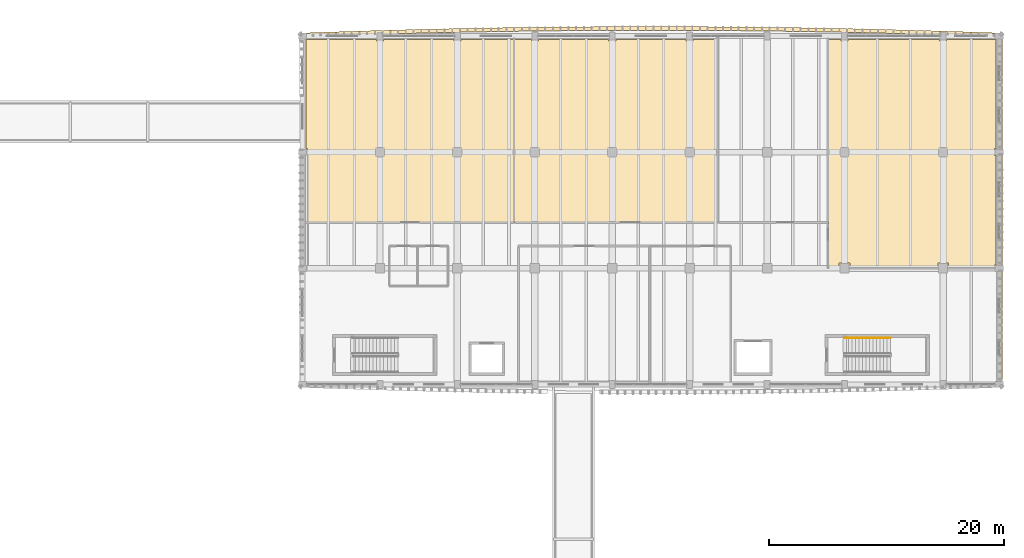
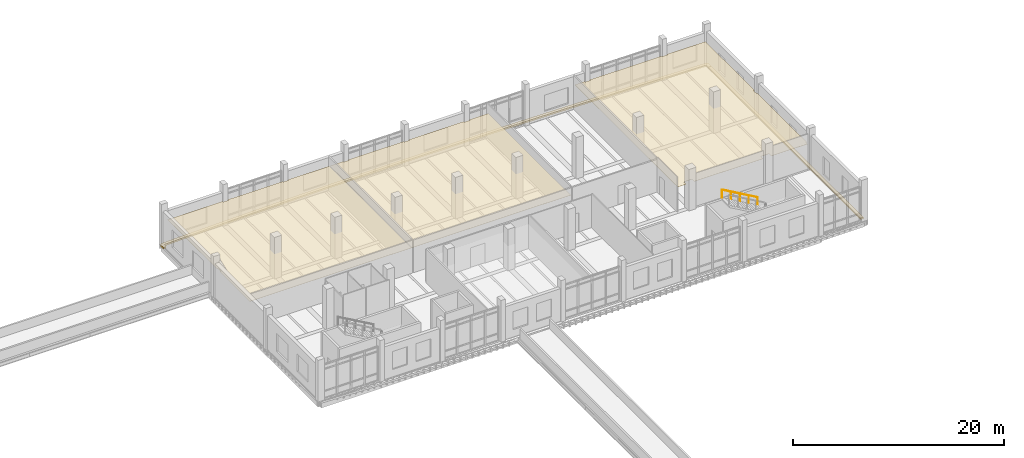
# One storey, part 94 of 101: 5 coverings, 1 railing.
"""IFC4 building model written with IfcOpenShell, lengths in metres."""

import ifcopenshell
import ifcopenshell.guid

model = None  # the IFC model being written
_history = None  # IfcOwnerHistory: only IFC2X3 demands one
_inside = {}  # id of a spatial element -> (the spatial element, [elements in it])
_under = {}  # id of a project, library or spatial element -> (it, [spatial elements below it])
_declared = {}  # id of a project -> (the project, [libraries it declares])
_typed = {}  # id of a type object -> (the type object, [elements of that type])
_made_of = {}  # id of a material, layer set ... -> (it, [elements and type objects made of it])


def new_model(schema):
    """Start an empty IFC model of exactly this schema.

    Asked for "IFC4X3", IfcOpenShell would pick the latest addendum, in which some entities
    have other attributes; the version numbers below select the first issue.
    IFC2X3 requires an IfcOwnerHistory on every rooted entity: one is made here for all.
    """
    global model, _history
    if schema == "IFC4X3":
        model = ifcopenshell.file(schema_version=(4, 3, 0, 0))
    else:
        model = ifcopenshell.file(schema=schema)
    _inside.clear()
    _under.clear()
    _declared.clear()
    _typed.clear()
    _made_of.clear()
    _history = None
    if model.schema == "IFC2X3":
        org = make("IfcOrganization", Name="unknown")
        user = make(
            "IfcPersonAndOrganization",
            ThePerson=make("IfcPerson", FamilyName="unknown"),
            TheOrganization=org,
        )
        app = make(
            "IfcApplication",
            ApplicationDeveloper=org,
            Version="unknown",
            ApplicationFullName="unknown",
            ApplicationIdentifier="unknown",
        )
        _history = make(
            "IfcOwnerHistory",
            OwningUser=user,
            OwningApplication=app,
            ChangeAction="ADDED",
            CreationDate=0,
        )
    return model


def make(cls, **values):
    """One entity of the class cls with the attributes given. An attribute that is None is left unset."""
    return model.create_entity(
        cls, **{name: value for name, value in values.items() if value is not None}
    )


def rooted(cls, **values):
    """An entity with a GlobalId (a new one), such as an element, a storey or a relation."""
    return make(cls, GlobalId=ifcopenshell.guid.new(), OwnerHistory=_history, **values)


def si_unit(unit_type, name, prefix=None):
    """IfcSIUnit, for example si_unit("LENGTHUNIT", "METRE", prefix="MILLI")."""
    return make("IfcSIUnit", UnitType=unit_type, Prefix=prefix, Name=name)


def assignment(units):
    """IfcUnitAssignment: the units of a project."""
    return None if units is None else make("IfcUnitAssignment", Units=units)


def point(xyz):
    """IfcCartesianPoint."""
    return None if xyz is None else make("IfcCartesianPoint", Coordinates=xyz)


def direction(xyz):
    """IfcDirection."""
    return None if xyz is None else make("IfcDirection", DirectionRatios=xyz)


def frame(location, z_axis=None, x_axis=None):
    """IfcAxis2Placement3D, a coordinate frame: its origin and axes. An axis left out is left unset."""
    return make(
        "IfcAxis2Placement3D",
        Location=point(location),
        Axis=direction(z_axis),
        RefDirection=direction(x_axis),
    )


def frame_2d(location, x_axis=None):
    """IfcAxis2Placement2D, a coordinate frame in the plane: its origin and x axis."""
    return make(
        "IfcAxis2Placement2D", Location=point(location), RefDirection=direction(x_axis)
    )


def origin():
    """The frame at (0, 0, 0) with its axes left unset."""
    return frame((0.0, 0.0, 0.0))


def origin_2d():
    """The frame at (0, 0) in the plane with its x axis left unset."""
    return frame_2d((0.0, 0.0))


def place(relative_to, where):
    """IfcLocalPlacement: puts the frame where relative to a parent placement (None: the world)."""
    return make(
        "IfcLocalPlacement", PlacementRelTo=relative_to, RelativePlacement=where
    )


def context(
    kind, dimensions, precision=None, world=None, true_north=None, identifier=None
):
    """IfcGeometricRepresentationContext, for example the 3D "Model" context."""
    return make(
        "IfcGeometricRepresentationContext",
        ContextIdentifier=identifier,
        ContextType=kind,
        CoordinateSpaceDimension=dimensions,
        Precision=precision,
        WorldCoordinateSystem=world,
        TrueNorth=true_north,
    )


def subcontext(parent, identifier, kind, view, scale=None):
    """IfcGeometricRepresentationSubContext, for example "Body" below "Model"."""
    return make(
        "IfcGeometricRepresentationSubContext",
        ContextIdentifier=identifier,
        ContextType=kind,
        ParentContext=parent,
        TargetScale=scale,
        TargetView=view,
    )


def project(units=None, contexts=None):
    """IfcProject with its units and contexts."""
    return rooted(
        "IfcProject",
        Name="project",
        RepresentationContexts=contexts,
        UnitsInContext=assignment(units),
    )


def spatial(cls, under=None, at=None, **own):
    """A site, building, storey or space (cls), placed at a placement, below another one or the project."""
    s = rooted(cls, ObjectPlacement=at, **own)
    if under is not None:
        _under.setdefault(under.id(), (under, []))[1].append(s)
    return s


def polyline(points):
    """IfcPolyline through the points."""
    return make("IfcPolyline", Points=[point(p) for p in points])


def profile(cls, at=None, kind="AREA", **sizes):
    """A parametric profile (cls). Its sizes go by their IFC names, for example OverallWidth=200.0."""
    return make(cls, ProfileType=kind, Position=at, **sizes)


def circle(**sizes):
    """IfcCircleProfileDef."""
    return profile("IfcCircleProfileDef", **sizes)


def outline(outer, holes=None, kind="AREA"):
    """IfcArbitraryClosedProfileDef: a profile drawn as a closed curve; with holes, ...WithVoids."""
    if holes is None:
        return make("IfcArbitraryClosedProfileDef", ProfileType=kind, OuterCurve=outer)
    return make(
        "IfcArbitraryProfileDefWithVoids",
        ProfileType=kind,
        OuterCurve=outer,
        InnerCurves=holes,
    )


def extrude(swept, where, along, depth):
    """IfcExtrudedAreaSolid: the profile swept, set in the frame where, extruded along a direction by depth."""
    return make(
        "IfcExtrudedAreaSolid",
        SweptArea=swept,
        Position=where,
        ExtrudedDirection=direction(along),
        Depth=depth,
    )


def shape(context_of_items, identifier, shape_type, items):
    """IfcShapeRepresentation: the items that make up one representation, for example the "Body"."""
    return make(
        "IfcShapeRepresentation",
        ContextOfItems=context_of_items,
        RepresentationIdentifier=identifier,
        RepresentationType=shape_type,
        Items=items,
    )


def material(Name=None, Category=None):
    """IfcMaterial."""
    return make("IfcMaterial", Name=Name, Category=Category)


def layer(
    of_material, thickness, ventilated=None, Name=None, Category=None, Priority=None
):
    """IfcMaterialLayer: one layer of a wall or slab, of a material (None: an air gap)."""
    return make(
        "IfcMaterialLayer",
        Material=of_material,
        LayerThickness=thickness,
        IsVentilated=ventilated,
        Name=Name,
        Category=Category,
        Priority=Priority,
    )


def layer_set(layers, Name=None):
    """IfcMaterialLayerSet."""
    return make("IfcMaterialLayerSet", MaterialLayers=layers, LayerSetName=Name)


def made_of(thing, what):
    """Note that an element or type object is made of a material, layer set ...; save() writes the relation."""
    if what is not None:
        _made_of.setdefault(what.id(), (what, []))[1].append(thing)
    return thing


def type_object(cls, material=None, **own):
    """A type object (cls), such as IfcWallType, which elements share."""
    return made_of(rooted(cls, **own), material)


def element(
    cls,
    number,
    at=None,
    inside=None,
    cuts=None,
    type_object=None,
    material=None,
    context=None,
    identifier="Body",
    shape_type=None,
    held_by="IfcProductDefinitionShape",
    body=None,
    shapes=None,
    **own,
):
    """One element of the class cls, such as IfcWall. Its Tag is "e" and its number.

    at: its placement. inside: the storey or other place that contains it. cuts: it is an
    opening in that element (IfcRelVoidsElement). A single representation is given by context,
    identifier, shape_type and body (its items); several are given by shapes. held_by: the class
    of the entity that holds the representations. save() writes the other relations.
    """
    e = rooted(cls, Tag="e%d" % number, ObjectPlacement=at, **own)
    if body is not None:
        shapes = [shape(context, identifier, shape_type, body)]
    if shapes is not None:
        e.Representation = make(held_by, Representations=shapes)
    if inside is not None:
        _inside.setdefault(inside.id(), (inside, []))[1].append(e)
    if cuts is not None:
        rooted(
            "IfcRelVoidsElement", RelatingBuildingElement=cuts, RelatedOpeningElement=e
        )
    if type_object is not None:
        _typed.setdefault(type_object.id(), (type_object, []))[1].append(e)
    return made_of(e, material)


def aggregate(whole, parts):
    """IfcRelAggregates: a whole, such as a stair, and the parts it consists of."""
    return rooted("IfcRelAggregates", RelatingObject=whole, RelatedObjects=parts)


def save(model, path):
    """Write the relations noted so far, then the file.

    IfcRelAggregates (storeys below a building ...), IfcRelContainedInSpatialStructure (elements
    in a storey), IfcRelDefinesByType, IfcRelAssociatesMaterial and IfcRelDeclares: one each for
    every whole, place, type object, material and project.
    """
    for whole, parts in _under.values():
        aggregate(whole, parts)
    for where, things in _inside.values():
        rooted(
            "IfcRelContainedInSpatialStructure",
            RelatedElements=things,
            RelatingStructure=where,
        )
    for kind, things in _typed.values():
        rooted("IfcRelDefinesByType", RelatedObjects=things, RelatingType=kind)
    for what, things in _made_of.values():
        rooted("IfcRelAssociatesMaterial", RelatedObjects=things, RelatingMaterial=what)
    for by, libraries in _declared.values():
        rooted("IfcRelDeclares", RelatingContext=by, RelatedDefinitions=libraries)
    model.write(path)


model = new_model("IFC4")

# Units and contexts
model_context = context("Model", 3, precision=1e-05, world=origin(), true_north=direction((0.0, 1.0)))
body_context = subcontext(model_context, "Body", "Model", "MODEL_VIEW")
ifc_project = project(units=[si_unit("LENGTHUNIT", "METRE"), si_unit("AREAUNIT", "SQUARE_METRE"), si_unit("VOLUMEUNIT", "CUBIC_METRE"), si_unit("PLANEANGLEUNIT", "RADIAN"), si_unit("MASSUNIT", "GRAM", prefix="KILO")], contexts=[model_context])

# Site, building, storey
site_placement = place(None, origin())
site = spatial("IfcSite", under=ifc_project, at=site_placement, CompositionType="ELEMENT")
building_placement = place(site_placement, origin())
building = spatial("IfcBuilding", under=site, at=building_placement, Name="Dornvale Research Institute", CompositionType="ELEMENT")
storey_placement = place(building_placement, frame((0.0, 0.0, 10.199951171875)))
storey = spatial("IfcBuildingStorey", under=building, at=storey_placement, Name="L02", CompositionType="ELEMENT", Elevation=10.199951171875)

# Coverings
ifc_material_1 = material(Name="Mineral-Fibre Acoustic Lay-In Ceiling Tile System")
ifc_layer_1 = layer(ifc_material_1, 0.02001953125)
ifc_layer_set_1 = layer_set([ifc_layer_1], Name="Mineral-Fibre Acoustic Lay-In Ceiling Tile System")
covering_type_1 = type_object("IfcCoveringType", Name="Covering_Acoustic_Ceiling", PredefinedType="CEILING", material=ifc_layer_set_1)
covering_1_placement = place(storey_placement, frame((0.0, 0.0, 2.85009765625)))
element("IfcCovering", 1, at=covering_1_placement, inside=storey, type_object=covering_type_1, Name="L02 Cellular Biology Wet Laboratory suspended ceiling", PredefinedType="CEILING", context=body_context, shape_type="SweptSolid", body=[
    extrude(outline(polyline([(125.10009765625, 121.699951171875), (125.699951171875, 121.699951171875), (125.699951171875, 121.800048828125), (131.699951171875, 121.800048828125), (131.699951171875, 121.699951171875), (132.300048828125, 121.699951171875), (132.300048828125, 121.800048828125), (136.800048828125, 121.800048828125), (136.800048828125, 106.219970703125), (119.10009765625, 106.219970703125), (119.10009765625, 111.89990234375), (119.199951171875, 111.89990234375), (119.199951171875, 112.5), (119.10009765625, 112.5), (119.10009765625, 121.800048828125), (119.199951171875, 121.800048828125), (125.10009765625, 121.800048828125), (125.10009765625, 121.699951171875)])), origin(), (0.0, 0.0, 1.0), 0.02001953125),
])
covering_2_placement = place(storey_placement, frame((0.0, 0.0, 2.85009765625)))
element("IfcCovering", 2, at=covering_2_placement, inside=storey, type_object=covering_type_1, Name="L02 Confocal Microscopy and Imaging Core suspended ceiling", PredefinedType="CEILING", context=body_context, shape_type="SweptSolid", body=[
    extrude(outline(polyline([(138.89990234375, 121.699951171875), (138.89990234375, 121.800048828125), (144.89990234375, 121.800048828125), (144.89990234375, 121.699951171875), (145.5, 121.699951171875), (145.5, 121.800048828125), (151.5, 121.800048828125), (151.5, 121.699951171875), (152.10009765625, 121.699951171875), (152.10009765625, 121.800048828125), (154.179931640625, 121.800048828125), (154.179931640625, 106.219970703125), (136.840087890625, 106.219970703125), (136.840087890625, 121.800048828125), (138.300048828125, 121.800048828125), (138.300048828125, 121.699951171875), (138.89990234375, 121.699951171875)])), origin(), (0.0, 0.0, 1.0), 0.02001953125),
])
covering_3_placement = place(storey_placement, frame((0.0, 0.0, 2.85009765625)))
element("IfcCovering", 3, at=covering_3_placement, inside=storey, type_object=covering_type_1, Name="L02 Principal Investigator Office L02-V4 suspended ceiling", PredefinedType="CEILING", context=body_context, shape_type="SweptSolid", body=[
    extrude(outline(polyline([(165.300048828125, 121.699951171875), (165.300048828125, 121.800048828125), (173.10009765625, 121.800048828125), (173.10009765625, 121.699951171875), (173.699951171875, 121.699951171875), (173.699951171875, 121.800048828125), (177.800048828125, 121.800048828125), (177.89990234375, 121.800048828125), (177.89990234375, 112.5), (177.800048828125, 112.5), (177.800048828125, 111.89990234375), (177.89990234375, 111.89990234375), (177.89990234375, 102.60009765625), (177.800048828125, 102.60009765625), (177.800048828125, 102.320068359375), (173.85009765625, 102.320068359375), (173.85009765625, 102.75), (172.949951171875, 102.75), (172.949951171875, 102.320068359375), (165.449951171875, 102.320068359375), (165.449951171875, 102.75), (164.550048828125, 102.75), (164.550048828125, 102.320068359375), (163.6201171875, 102.320068359375), (163.6201171875, 121.800048828125), (164.699951171875, 121.800048828125), (164.699951171875, 121.699951171875), (165.300048828125, 121.699951171875)])), origin(), (0.0, 0.0, 1.0), 0.02001953125),
])
ifc_material_2 = material(Name="Polychrome Glazed Terracotta Visor Rib Ceramic", Category="masonry")
ifc_layer_2 = layer(ifc_material_2, 0.179931640625)
ifc_layer_set_2 = layer_set([ifc_layer_2], Name="Polychrome Glazed Terracotta Visor Rib Ceramic")
covering_type_2 = type_object("IfcCoveringType", Name="Covering_VisorBrim_LowShelf", PredefinedType="CLADDING", material=ifc_layer_set_2)
covering_4_placement = place(storey_placement, frame((0.0, 0.0, -0.260009765625)))
element("IfcCovering", 4, at=covering_4_placement, inside=storey, type_object=covering_type_2, Name="L02 V4 canted bowed-brim visor hood #48", PredefinedType="CLADDING", context=body_context, shape_type="SweptSolid", body=[
    extrude(outline(polyline([(120.441162109375, 122.41845703125), (122.09130859375, 122.474609375), (122.091796875, 122.474609375), (123.74169921875, 122.527099609375), (123.7421875, 122.527099609375), (125.392333984375, 122.576416015625), (125.392822265625, 122.576416015625), (127.042724609375, 122.622314453125), (127.043212890625, 122.622314453125), (128.693359375, 122.664794921875), (128.69384765625, 122.664794921875), (130.343994140625, 122.70361328125), (130.344482421875, 122.70361328125), (131.994384765625, 122.7392578125), (131.994873046875, 122.739501953125), (133.64501953125, 122.771728515625), (133.6455078125, 122.771728515625), (135.29541015625, 122.800537109375), (135.2958984375, 122.800537109375), (136.946044921875, 122.825927734375), (136.946533203125, 122.825927734375), (138.596435546875, 122.84814453125), (138.59716796875, 122.84814453125), (140.2470703125, 122.86669921875), (140.24755859375, 122.86669921875), (141.897705078125, 122.882080078125), (141.898193359375, 122.882080078125), (143.548095703125, 122.893798828125), (143.548583984375, 122.893798828125), (145.19873046875, 122.90234375), (145.19921875, 122.90234375), (146.84912109375, 122.907470703125), (146.849609375, 122.907470703125), (148.499755859375, 122.9091796875), (148.500244140625, 122.9091796875), (150.150390625, 122.907470703125), (150.15087890625, 122.907470703125), (151.80078125, 122.90234375), (151.80126953125, 122.90234375), (153.451416015625, 122.893798828125), (153.451904296875, 122.893798828125), (155.101806640625, 122.882080078125), (155.102294921875, 122.882080078125), (156.75244140625, 122.86669921875), (156.7529296875, 122.86669921875), (158.40283203125, 122.84814453125), (158.403564453125, 122.84814453125), (160.053466796875, 122.825927734375), (160.053955078125, 122.825927734375), (161.7041015625, 122.800537109375), (161.70458984375, 122.800537109375), (163.3544921875, 122.771728515625), (163.35498046875, 122.771728515625), (165.005126953125, 122.739501953125), (165.005615234375, 122.7392578125), (166.655517578125, 122.70361328125), (166.656005859375, 122.70361328125), (168.30615234375, 122.664794921875), (168.306640625, 122.664794921875), (169.956787109375, 122.622314453125), (169.957275390625, 122.622314453125), (171.607177734375, 122.576416015625), (171.607666015625, 122.576416015625), (173.2578125, 122.527099609375), (173.25830078125, 122.527099609375), (174.908203125, 122.474609375), (174.90869140625, 122.474609375), (176.558837890625, 122.41845703125), (176.559326171875, 122.41845703125), (178.209228515625, 122.35888671875), (178.3056640625, 122.336669921875), (178.386474609375, 122.280029296875), (178.4404296875, 122.197021484375), (178.459228515625, 122.10009765625), (178.459228515625, 121.64990234375), (178.139892578125, 121.64990234375), (178.139892578125, 122.0419921875), (176.5478515625, 122.099365234375), (174.89794921875, 122.155517578125), (173.248046875, 122.2080078125), (171.598388671875, 122.25732421875), (169.948486328125, 122.302978515625), (168.298583984375, 122.345703125), (166.648681640625, 122.384521484375), (164.998779296875, 122.420166015625), (163.348876953125, 122.452392578125), (161.698974609375, 122.4814453125), (160.049072265625, 122.5068359375), (158.3994140625, 122.52880859375), (156.74951171875, 122.547607421875), (155.099609375, 122.562744140625), (153.44970703125, 122.57470703125), (151.7998046875, 122.583251953125), (150.14990234375, 122.58837890625), (148.5, 122.590087890625), (146.85009765625, 122.58837890625), (145.2001953125, 122.583251953125), (143.55029296875, 122.57470703125), (141.900390625, 122.562744140625), (140.25048828125, 122.547607421875), (138.6005859375, 122.52880859375), (136.950927734375, 122.5068359375), (135.301025390625, 122.4814453125), (133.651123046875, 122.452392578125), (132.001220703125, 122.420166015625), (130.351318359375, 122.384521484375), (128.701416015625, 122.345703125), (127.051513671875, 122.302978515625), (125.401611328125, 122.25732421875), (123.751953125, 122.2080078125), (122.10205078125, 122.155517578125), (120.4521484375, 122.099365234375), (118.860107421875, 122.0419921875), (118.860107421875, 121.64990234375), (118.540771484375, 121.64990234375), (118.540771484375, 122.10009765625), (118.5595703125, 122.197021484375), (118.613525390625, 122.280029296875), (118.6943359375, 122.336669921875), (118.790771484375, 122.35888671875), (120.440673828125, 122.41845703125), (120.441162109375, 122.41845703125)])), origin(), (0.0, 0.0, 1.0), 0.18017578125),
])
covering_5_placement = place(storey_placement, frame((0.0, 0.0, -0.260009765625)))
element("IfcCovering", 5, at=covering_5_placement, inside=storey, type_object=covering_type_2, Name="L02 V4 canted bowed-brim visor hood #51", PredefinedType="CLADDING", context=body_context, shape_type="SweptSolid", body=[
    extrude(outline(polyline([(178.459228515625, 92.85009765625), (178.139892578125, 92.85009765625), (178.139892578125, 121.64990234375), (178.459228515625, 121.64990234375), (178.459228515625, 92.85009765625)])), origin(), (0.0, 0.0, 1.0), 0.18017578125),
])

# Railing
ifc_material_3 = material(Name="Galvanized Painted Tubular Steel Stair Rail", Category="steel")
ifc_layer_3 = layer(ifc_material_3, 0.044921875)
ifc_layer_set_3 = layer_set([ifc_layer_3], Name="Galvanized Painted Tubular Steel Stair Rail")
railing_type = type_object("IfcRailingType", Name="Railing_Stair_Handrail_900", PredefinedType="HANDRAIL", material=ifc_layer_set_3)
railing_placement = place(storey_placement, frame((168.919921875, 96.35009765625, 2.571533203125)))
element("IfcRailing", 6, at=railing_placement, inside=storey, type_object=railing_type, Name="L02 ST-4 stair handrail 2", PredefinedType="HANDRAIL", context=body_context, shape_type="SweptSolid", body=[
    extrude(circle(Radius=0.02392578125, at=origin_2d()), frame((0.0, 0.0, 0.8759765625), z_axis=(-0.868243142124, 0.0, 0.496138938357), x_axis=(0.0, -1.0, 0.0)), (0.0, 0.0, 1.0), 4.49169921875),
    extrude(circle(Radius=0.02099609375, at=origin_2d()), origin(), (0.0, 0.0, 1.0), 0.851806640625),
    extrude(circle(Radius=0.02099609375, at=origin_2d()), frame((-0.97509765625, 0.0, 0.55712890625)), (0.0, 0.0, 1.0), 0.851806640625),
    extrude(circle(Radius=0.02099609375, at=origin_2d()), frame((-1.949951171875, 0.0, 1.1142578125)), (0.0, 0.0, 1.0), 0.851806640625),
    extrude(circle(Radius=0.02099609375, at=origin_2d()), frame((-2.9248046875, 0.0, 1.67138671875)), (0.0, 0.0, 1.0), 0.851806640625),
    extrude(circle(Radius=0.02099609375, at=origin_2d()), frame((-3.89990234375, 0.0, 2.228515625)), (0.0, 0.0, 1.0), 0.851806640625),
])

save(model, "model.ifc")
